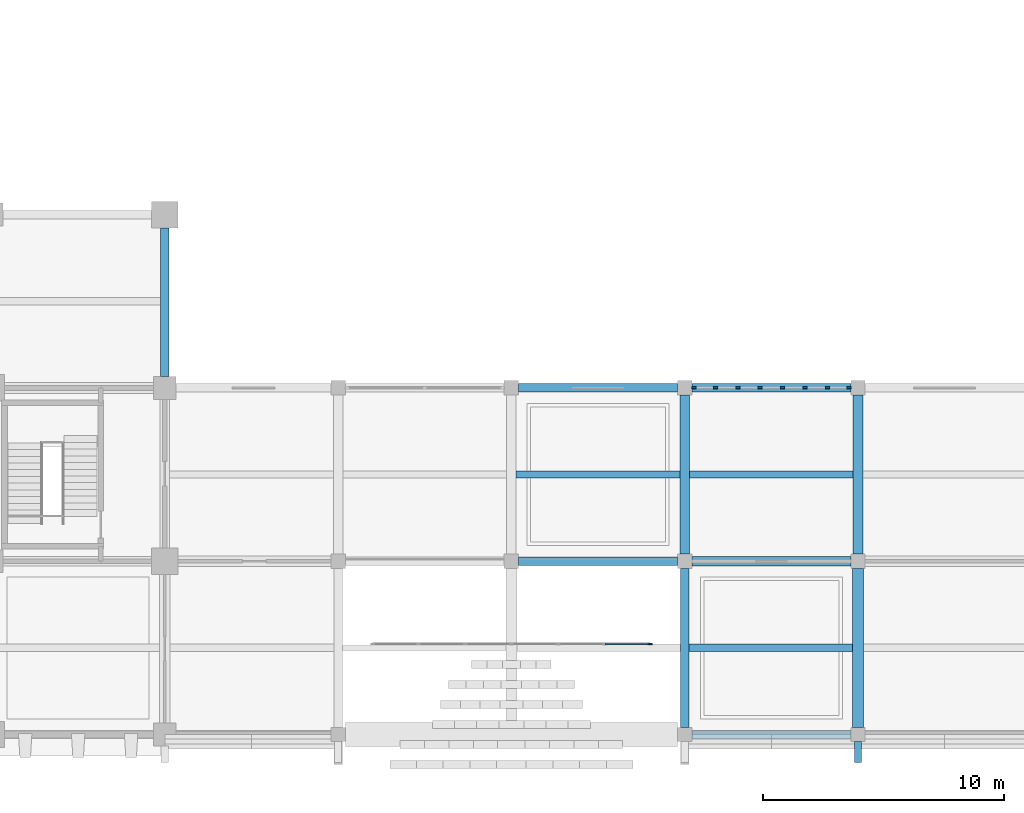
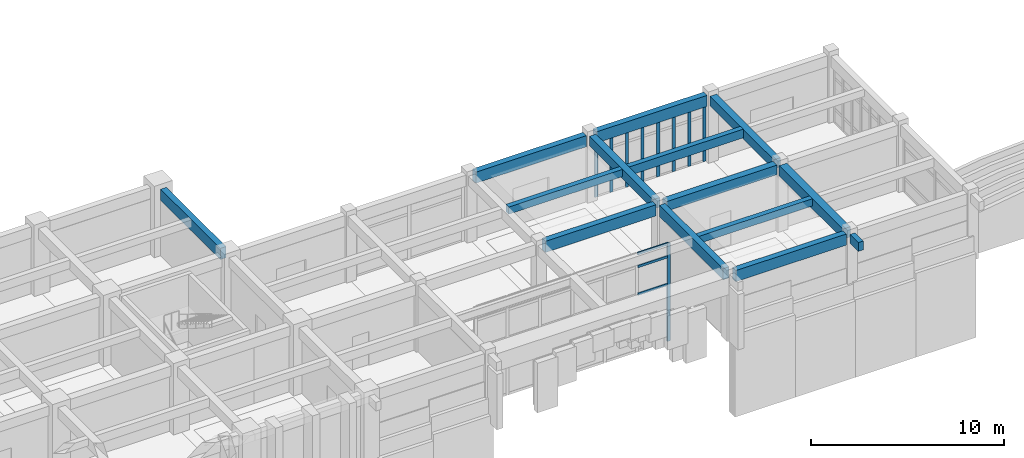
# One storey, part 10 of 81: 14 beams, 12 members, 2 elements without a shape of their own.
"""IFC4 building model written with IfcOpenShell, lengths in metres."""

from ifc_helpers import new_model, si_unit, direction, frame, origin, origin_2d, place, context, subcontext, project, spatial, rectangle, extrude, material, layer, layer_set, material_profile, profile_set, type_object, element, aggregate, save


model = new_model("IFC4")

# Units and contexts
model_context = context("Model", 3, precision=1e-05, world=origin(), true_north=direction((0.0, 1.0)))
body_context = subcontext(model_context, "Body", "Model", "MODEL_VIEW")
ifc_project = project(units=[si_unit("LENGTHUNIT", "METRE"), si_unit("AREAUNIT", "SQUARE_METRE"), si_unit("VOLUMEUNIT", "CUBIC_METRE"), si_unit("PLANEANGLEUNIT", "RADIAN"), si_unit("MASSUNIT", "GRAM", prefix="KILO")], contexts=[model_context])

# Site, building, storey
site_placement = place(None, origin())
site = spatial("IfcSite", under=ifc_project, at=site_placement, CompositionType="ELEMENT")
building_placement = place(site_placement, origin())
building = spatial("IfcBuilding", under=site, at=building_placement, Name="Kavelor Marine Aquarium", CompositionType="ELEMENT")
storey_placement = place(building_placement, frame((0.0, 0.0, 4.679931640625)))
storey = spatial("IfcBuildingStorey", under=building, at=storey_placement, Name="L01", CompositionType="ELEMENT", Elevation=4.679931640625)

# Beams
ifc_material_1 = material(Name="Concrete C40/50", Category="concrete")
ifc_material_profile_1 = material_profile(ifc_material_1, rectangle(XDim=0.449951171875, YDim=0.64990234375, at=origin_2d()), Name="RC-BM 450x650")
ifc_profile_set_1 = profile_set([ifc_material_profile_1], Name="Concrete C40/50")
beam_type_1 = type_object("IfcBeamType", Name="BM-B3", PredefinedType="BEAM", material=ifc_profile_set_1)
beam_1_placement = place(storey_placement, frame((96.800048828125, 3.10009765625, 3.875), z_axis=(0.0, 1.0, 0.0), x_axis=(-1.0, 0.0, 0.0)))
element("IfcBeam", 1, at=beam_1_placement, inside=storey, type_object=beam_type_1, Name="bm:y:L01:L02:13_00", PredefinedType="BEAM", context=body_context, shape_type="SweptSolid", body=[
    extrude(rectangle(XDim=0.449951171875, YDim=0.64990234375, at=origin_2d()), origin(), (0.0, 0.0, 1.0), 6.599853515625),
])
ifc_material_2 = material(Name="Concrete C40/50", Category="concrete")
ifc_material_profile_2 = material_profile(ifc_material_2, rectangle(XDim=0.39990234375, YDim=0.60009765625, at=origin_2d()), Name="RC-BM 400x600")
ifc_profile_set_2 = profile_set([ifc_material_profile_2], Name="Concrete C40/50")
beam_type_2 = type_object("IfcBeamType", Name="BM-B4", PredefinedType="BEAM", material=ifc_profile_set_2)
beam_2_placement = place(storey_placement, frame((89.89990234375, 10.0, 3.900146484375), z_axis=(1.0, 0.0, 0.0), x_axis=(0.0, 1.0, 0.0)))
element("IfcBeam", 2, at=beam_2_placement, inside=storey, type_object=beam_type_2, Name="bm:x:L01:L02:12_01", PredefinedType="BEAM", context=body_context, shape_type="SweptSolid", body=[
    extrude(rectangle(XDim=0.39990234375, YDim=0.60009765625, at=origin_2d()), origin(), (0.0, 0.0, 1.0), 6.60009765625),
])
for number, where, z_axis, x_axis, name in (
    (3, (89.60009765625, 10.300048828125, 3.900146484375), (0.0, 1.0, 0.0), (-1.0, 0.0, 0.0), "bm:y:L01:L02:12_01"),
    (4, (96.800048828125, 10.300048828125, 3.900146484375), (0.0, 1.0, 0.0), (-1.0, 0.0, 0.0), "bm:y:L01:L02:13_01"),
):
    element("IfcBeam", number, at=place(storey_placement, frame(where, z_axis=z_axis, x_axis=x_axis)), inside=storey, type_object=beam_type_2, Name=name, PredefinedType="BEAM", context=body_context, shape_type="SweptSolid", body=[
        extrude(rectangle(XDim=0.39990234375, YDim=0.60009765625, at=origin_2d()), origin(), (0.0, 0.0, 1.0), 6.599853515625),
    ])
ifc_material_3 = material(Name="Concrete C40/50", Category="concrete")
ifc_material_profile_3 = material_profile(ifc_material_3, rectangle(XDim=0.300048828125, YDim=0.449951171875, at=origin_2d()), Name="RC-JS 300x450")
ifc_profile_set_3 = profile_set([ifc_material_profile_3], Name="Concrete C40/50")
beam_type_3 = type_object("IfcBeamType", Name="BM-JS1", PredefinedType="JOIST", material=ifc_profile_set_3)
beam_3_placement = place(storey_placement, frame((82.60009765625, 13.60009765625, 3.97509765625), z_axis=(1.0, 0.0, 0.0), x_axis=(0.0, 1.0, 0.0)))
element("IfcBeam", 5, at=beam_3_placement, inside=storey, type_object=beam_type_3, Name="js:L01:L02:11_01", PredefinedType="JOIST", context=body_context, shape_type="SweptSolid", body=[
    extrude(rectangle(XDim=0.300048828125, YDim=0.449951171875, at=origin_2d()), origin(), (0.0, 0.0, 1.0), 6.7998046875),
])
beam_4_placement = place(storey_placement, frame((89.77490234375, 6.39990234375, 3.97509765625), z_axis=(1.0, 0.0, 0.0), x_axis=(0.0, 1.0, 0.0)))
element("IfcBeam", 6, at=beam_4_placement, inside=storey, type_object=beam_type_3, Name="js:L01:L02:12_00", PredefinedType="JOIST", context=body_context, shape_type="SweptSolid", body=[
    extrude(rectangle(XDim=0.300048828125, YDim=0.449951171875, at=origin_2d()), origin(), (0.0, 0.0, 1.0), 6.800048828125),
])
ifc_material_4 = material(Name="Concrete C40/50", Category="concrete")
ifc_material_profile_4 = material_profile(ifc_material_4, rectangle(XDim=0.300048828125, YDim=0.550048828125, at=origin_2d()), Name="RC-JS 300x550")
ifc_profile_set_4 = profile_set([ifc_material_profile_4], Name="Concrete C40/50")
beam_type_4 = type_object("IfcBeamType", Name="BM-JS2", PredefinedType="JOIST", material=ifc_profile_set_4)
beam_5_placement = place(storey_placement, frame((89.800048828125, 13.60009765625, 3.945068359375), z_axis=(1.0, 0.0, 0.0), x_axis=(0.0, 1.0, 0.0)))
element("IfcBeam", 7, at=beam_5_placement, inside=storey, type_object=beam_type_4, Name="js:L01:L02:12_01", PredefinedType="JOIST", context=body_context, shape_type="SweptSolid", body=[
    extrude(rectangle(XDim=0.300048828125, YDim=0.550048828125, at=origin_2d()), origin(), (0.0, 0.0, 1.0), 6.800048828125),
])
ifc_material_5 = material(Name="Concrete C40/50", Category="concrete")
ifc_material_profile_5 = material_profile(ifc_material_5, rectangle(XDim=0.35009765625, YDim=0.699951171875, at=origin_2d()), Name="RC-SP 350x700")
ifc_profile_set_5 = profile_set([ifc_material_profile_5], Name="Concrete C40/50")
beam_type_5 = type_object("IfcBeamType", Name="BM-SP1", PredefinedType="SPANDREL", material=ifc_profile_set_5)
for number, where, z_axis, x_axis, name in (
    (8, (82.699951171875, 10.0, 3.85009765625), (1.0, 0.0, 0.0), (0.0, 1.0, 0.0), "bm:x:L01:L02:11_01"),
    (9, (82.699951171875, 17.199951171875, 3.85009765625), (1.0, 0.0, 0.0), (0.0, 1.0, 0.0), "bm:x:L01:L02:11_02"),
    (10, (89.89990234375, 2.800048828125, 3.85009765625), (1.0, 0.0, 0.0), (0.0, 1.0, 0.0), "bm:x:L01:L02:12_00"),
    (11, (89.89990234375, 17.199951171875, 3.8701171875), (1.0, 0.0, 0.0), (0.0, 1.0, 0.0), "bm:x:L01:L02:12_02"),
):
    element("IfcBeam", number, at=place(storey_placement, frame(where, z_axis=z_axis, x_axis=x_axis)), inside=storey, type_object=beam_type_5, Name=name, PredefinedType="SPANDREL", context=body_context, shape_type="SweptSolid", body=[
        extrude(rectangle(XDim=0.35009765625, YDim=0.699951171875, at=origin_2d()), origin(), (0.0, 0.0, 1.0), 6.60009765625),
    ])
beam_6_placement = place(storey_placement, frame((68.0, 17.675048828125, 3.85009765625), z_axis=(0.0, 1.0, 0.0), x_axis=(-1.0, 0.0, 0.0)))
element("IfcBeam", 12, at=beam_6_placement, inside=storey, type_object=beam_type_5, Name="bm:y:L01:L02:09_02", PredefinedType="SPANDREL", context=body_context, shape_type="SweptSolid", body=[
    extrude(rectangle(XDim=0.35009765625, YDim=0.699951171875, at=origin_2d()), origin(), (0.0, 0.0, 1.0), 6.175048828125),
])
beam_7_placement = place(storey_placement, frame((89.60009765625, 3.10009765625, 3.85009765625), z_axis=(0.0, 1.0, 0.0), x_axis=(-1.0, 0.0, 0.0)))
element("IfcBeam", 13, at=beam_7_placement, inside=storey, type_object=beam_type_5, Name="bm:y:L01:L02:12_00", PredefinedType="SPANDREL", context=body_context, shape_type="SweptSolid", body=[
    extrude(rectangle(XDim=0.35009765625, YDim=0.699951171875, at=origin_2d()), origin(), (0.0, 0.0, 1.0), 6.599853515625),
])
ifc_material_6 = material(Name="Concrete C40/50", Category="concrete")
ifc_material_profile_6 = material_profile(ifc_material_6, rectangle(XDim=0.300048828125, YDim=0.550048828125, at=origin_2d()), Name="RC-SP 300x550")
ifc_profile_set_6 = profile_set([ifc_material_profile_6], Name="Concrete C40/50")
beam_type_6 = type_object("IfcBeamType", Name="BM-SP2", PredefinedType="SPANDREL", material=ifc_profile_set_6)
beam_8_placement = place(storey_placement, frame((96.800048828125, 1.639892578125, 3.925048828125), z_axis=(0.0, 1.0, 0.0), x_axis=(-1.0, 0.0, 0.0)))
element("IfcBeam", 14, at=beam_8_placement, inside=storey, type_object=beam_type_6, Name="bm:out:s:L01:L02:13", PredefinedType="SPANDREL", context=body_context, shape_type="SweptSolid", body=[
    extrude(rectangle(XDim=0.300048828125, YDim=0.550048828125, at=origin_2d()), origin(), (0.0, 0.0, 1.0), 0.860107421875),
])

# Curtain wall, member
ifc_material_7 = material(Name="Thermally Broken Aluminium and Low-E Glass", Category="aluminium")
ifc_layer_1 = layer(ifc_material_7, 0.2919921875)
ifc_layer_set_1 = layer_set([ifc_layer_1], Name="CW-SYS19")
curtain_wall_type_1 = type_object("IfcCurtainWallType", Name="CW-SYS19", PredefinedType="USERDEFINED", material=ifc_layer_set_1)
curtain_wall_1_placement = place(storey_placement, origin())
curtain_wall_1 = element("IfcCurtainWall", 15, at=curtain_wall_1_placement, inside=storey, type_object=curtain_wall_type_1, Name="cw:portal:south:screen", ObjectType="Curtain Wall", PredefinedType="USERDEFINED")
ifc_material_8 = material(Name="Anodised Aluminium Alloy 6063-T6", Category="aluminium")
ifc_material_profile_7 = material_profile(ifc_material_8, rectangle(XDim=0.074951171875, YDim=0.179931640625, at=origin_2d()), Name="CW-MUL 75x180")
ifc_profile_set_7 = profile_set([ifc_material_profile_7], Name="Anodised Aluminium Alloy 6063-T6")
member_type_1 = type_object("IfcMemberType", Name="CWM-1", PredefinedType="MULLION", material=ifc_profile_set_7)
member_1_placement = place(storey_placement, frame((88.16259765625, 6.56005859375, -2.0), z_axis=(0.0, 0.0, 1.0), x_axis=(0.0, -1.0, 0.0)))
member_1 = element("IfcMember", 16, at=member_1_placement, type_object=member_type_1, Name="CW19 mullion 1", PredefinedType="MULLION", context=body_context, shape_type="SweptSolid", body=[
    extrude(rectangle(XDim=0.074951171875, YDim=0.179931640625, at=origin_2d()), origin(), (0.0, 0.0, 1.0), 6.190185546875),
])

# Curtain wall, members
ifc_material_9 = material(Name="Thermally Broken Aluminium and Low-E Glass", Category="aluminium")
ifc_layer_2 = layer(ifc_material_9, 0.156005859375)
ifc_layer_set_2 = layer_set([ifc_layer_2], Name="CW-SYS2")
curtain_wall_type_2 = type_object("IfcCurtainWallType", Name="CW-SYS2", PredefinedType="USERDEFINED", material=ifc_layer_set_2)
curtain_wall_2_placement = place(storey_placement, origin())
curtain_wall_2 = element("IfcCurtainWall", 17, at=curtain_wall_2_placement, inside=storey, type_object=curtain_wall_type_2, Name="cw:x:L01:12_02", ObjectType="Curtain Wall", PredefinedType="USERDEFINED")
ifc_material_10 = material(Name="Anodised Aluminium Alloy 6063-T6", Category="aluminium")
ifc_material_profile_8 = material_profile(ifc_material_10, rectangle(XDim=0.080078125, YDim=0.18505859375, at=origin_2d()), Name="CW-MUL 80x185")
ifc_profile_set_8 = profile_set([ifc_material_profile_8], Name="Anodised Aluminium Alloy 6063-T6")
member_type_2 = type_object("IfcMemberType", Name="CWM-2", PredefinedType="MULLION", material=ifc_profile_set_8)
member_2_placement = place(storey_placement, frame((89.9775390625, 17.199951171875, 0.0), z_axis=(0.0, 0.0, 1.0), x_axis=(0.0, 1.0, 0.0)))
member_2 = element("IfcMember", 18, at=member_2_placement, type_object=member_type_2, Name="CW02 mullion 1", PredefinedType="MULLION", context=body_context, shape_type="SweptSolid", body=[
    extrude(rectangle(XDim=0.080078125, YDim=0.18505859375, at=origin_2d()), origin(), (0.0, 0.0, 1.0), 3.510009765625),
])
member_3_placement = place(storey_placement, frame((90.875, 17.199951171875, 0.0), z_axis=(0.0, 0.0, 1.0), x_axis=(0.0, 1.0, 0.0)))
member_3 = element("IfcMember", 19, at=member_3_placement, type_object=member_type_2, Name="CW02 mullion 2", PredefinedType="MULLION", context=body_context, shape_type="SweptSolid", body=[
    extrude(rectangle(XDim=0.080078125, YDim=0.18505859375, at=origin_2d()), origin(), (0.0, 0.0, 1.0), 3.510009765625),
])
member_4_placement = place(storey_placement, frame((91.804931640625, 17.199951171875, 0.0), z_axis=(0.0, 0.0, 1.0), x_axis=(0.0, 1.0, 0.0)))
member_4 = element("IfcMember", 20, at=member_4_placement, type_object=member_type_2, Name="CW02 mullion 3", PredefinedType="MULLION", context=body_context, shape_type="SweptSolid", body=[
    extrude(rectangle(XDim=0.080078125, YDim=0.18505859375, at=origin_2d()), origin(), (0.0, 0.0, 1.0), 3.510009765625),
])
member_5_placement = place(storey_placement, frame((92.735107421875, 17.199951171875, 0.0), z_axis=(0.0, 0.0, 1.0), x_axis=(0.0, 1.0, 0.0)))
member_5 = element("IfcMember", 21, at=member_5_placement, type_object=member_type_2, Name="CW02 mullion 4", PredefinedType="MULLION", context=body_context, shape_type="SweptSolid", body=[
    extrude(rectangle(XDim=0.080078125, YDim=0.18505859375, at=origin_2d()), origin(), (0.0, 0.0, 1.0), 3.510009765625),
])
member_6_placement = place(storey_placement, frame((93.6650390625, 17.199951171875, 0.0), z_axis=(0.0, 0.0, 1.0), x_axis=(0.0, 1.0, 0.0)))
member_6 = element("IfcMember", 22, at=member_6_placement, type_object=member_type_2, Name="CW02 mullion 5", PredefinedType="MULLION", context=body_context, shape_type="SweptSolid", body=[
    extrude(rectangle(XDim=0.080078125, YDim=0.18505859375, at=origin_2d()), origin(), (0.0, 0.0, 1.0), 3.510009765625),
])
member_7_placement = place(storey_placement, frame((94.594970703125, 17.199951171875, 0.0), z_axis=(0.0, 0.0, 1.0), x_axis=(0.0, 1.0, 0.0)))
member_7 = element("IfcMember", 23, at=member_7_placement, type_object=member_type_2, Name="CW02 mullion 6", PredefinedType="MULLION", context=body_context, shape_type="SweptSolid", body=[
    extrude(rectangle(XDim=0.080078125, YDim=0.18505859375, at=origin_2d()), origin(), (0.0, 0.0, 1.0), 3.510009765625),
])
member_8_placement = place(storey_placement, frame((95.52490234375, 17.199951171875, 0.0), z_axis=(0.0, 0.0, 1.0), x_axis=(0.0, 1.0, 0.0)))
member_8 = element("IfcMember", 24, at=member_8_placement, type_object=member_type_2, Name="CW02 mullion 7", PredefinedType="MULLION", context=body_context, shape_type="SweptSolid", body=[
    extrude(rectangle(XDim=0.080078125, YDim=0.18505859375, at=origin_2d()), origin(), (0.0, 0.0, 1.0), 3.510009765625),
])
member_9_placement = place(storey_placement, frame((96.422607421875, 17.199951171875, 0.0), z_axis=(0.0, 0.0, 1.0), x_axis=(0.0, 1.0, 0.0)))
member_9 = element("IfcMember", 25, at=member_9_placement, type_object=member_type_2, Name="CW02 mullion 8", PredefinedType="MULLION", context=body_context, shape_type="SweptSolid", body=[
    extrude(rectangle(XDim=0.080078125, YDim=0.18505859375, at=origin_2d()), origin(), (0.0, 0.0, 1.0), 3.510009765625),
])
aggregate(curtain_wall_2, [member_2, member_3, member_4, member_5, member_6, member_7, member_8, member_9])

# Member
ifc_material_11 = material(Name="Anodised Aluminium Alloy 6063-T6", Category="aluminium")
ifc_material_profile_9 = material_profile(ifc_material_11, rectangle(XDim=0.074951171875, YDim=0.14990234375, at=origin_2d()), Name="CW-TRN 75x150")
ifc_profile_set_9 = profile_set([ifc_material_profile_9], Name="Anodised Aluminium Alloy 6063-T6")
member_type_3 = type_object("IfcMemberType", Name="CWT-1", PredefinedType="USERDEFINED", material=ifc_profile_set_9)
member_10_placement = place(storey_placement, frame((88.125, 6.56005859375, 1.60009765625), z_axis=(-1.0, 0.0, 0.0), x_axis=(0.0, -1.0, 0.0)))
member_10 = element("IfcMember", 26, at=member_10_placement, type_object=member_type_3, Name="CW19 transom 1.3", ObjectType="TRANSOM", PredefinedType="USERDEFINED", context=body_context, shape_type="SweptSolid", body=[
    extrude(rectangle(XDim=0.074951171875, YDim=0.14990234375, at=origin_2d()), origin(), (0.0, 0.0, 1.0), 1.82080078125),
])

member_11_placement = place(storey_placement, frame((88.125, 6.56005859375, 3.340087890625), z_axis=(-1.0, 0.0, 0.0), x_axis=(0.0, -1.0, 0.0)))
member_11 = element("IfcMember", 27, at=member_11_placement, type_object=member_type_3, Name="CW19 transom 1.4", ObjectType="TRANSOM", PredefinedType="USERDEFINED", context=body_context, shape_type="SweptSolid", body=[
    extrude(rectangle(XDim=0.074951171875, YDim=0.14990234375, at=origin_2d()), origin(), (0.0, 0.0, 1.0), 1.82080078125),
])

member_12_placement = place(storey_placement, frame((88.125, 6.56005859375, 4.152587890625), z_axis=(-1.0, 0.0, 0.0), x_axis=(0.0, -1.0, 0.0)))
member_12 = element("IfcMember", 28, at=member_12_placement, type_object=member_type_3, Name="CW19 transom 1.5", ObjectType="TRANSOM", PredefinedType="USERDEFINED", context=body_context, shape_type="SweptSolid", body=[
    extrude(rectangle(XDim=0.074951171875, YDim=0.14990234375, at=origin_2d()), origin(), (0.0, 0.0, 1.0), 1.82080078125),
])

aggregate(curtain_wall_1, [member_1, member_10, member_11, member_12])

save(model, "model.ifc")
